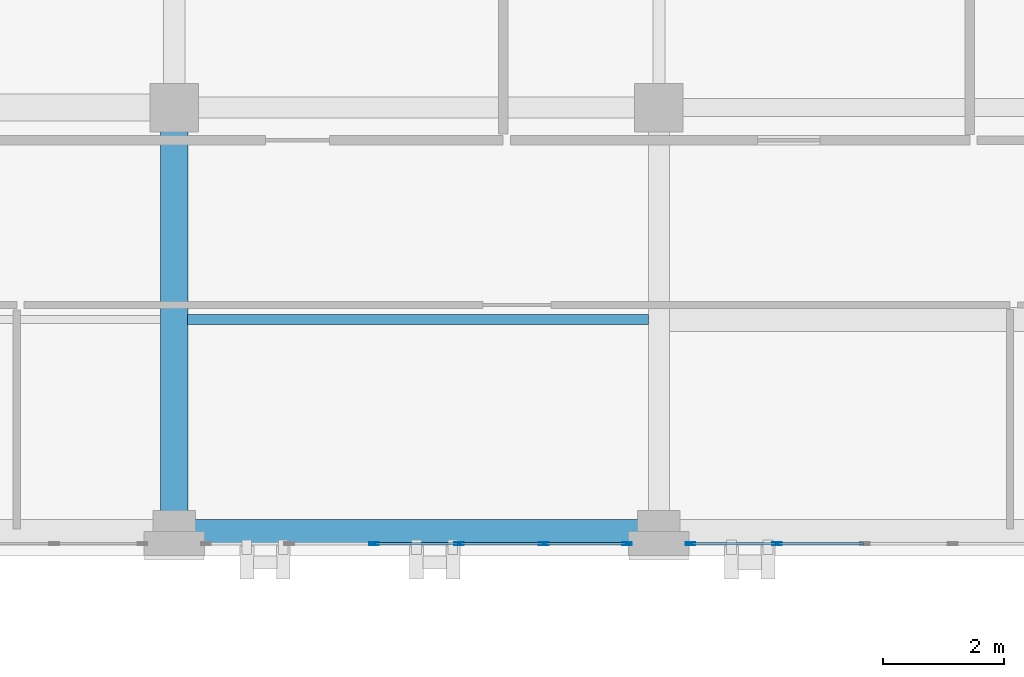
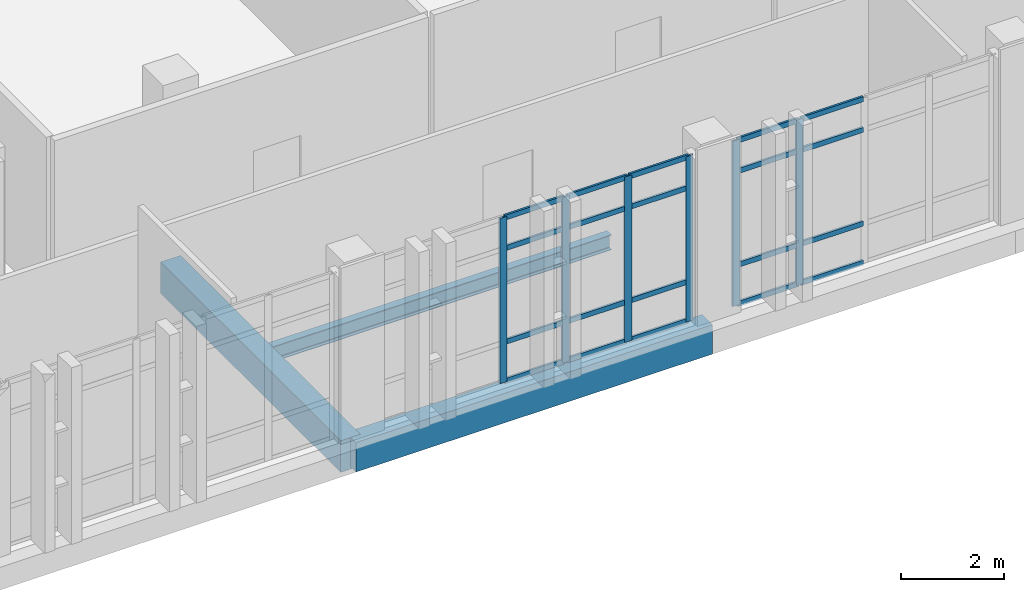
# One storey, part 81 of 158: 26 members, 3 beams, 2 elements without a shape of their own.
"""IFC4 building model written with IfcOpenShell, lengths in metres."""

from ifc_helpers import new_model, si_unit, direction, frame, origin, origin_2d, place, context, subcontext, project, spatial, rectangle, hollow_rectangle, i_section, extrude, material, layer, layer_set, material_profile, profile_set, type_object, element, aggregate, save


model = new_model("IFC4")

# Units and contexts
model_context = context("Model", 3, precision=1e-05, world=origin(), true_north=direction((0.0, 1.0)))
body_context = subcontext(model_context, "Body", "Model", "MODEL_VIEW")
ifc_project = project(units=[si_unit("LENGTHUNIT", "METRE"), si_unit("AREAUNIT", "SQUARE_METRE"), si_unit("VOLUMEUNIT", "CUBIC_METRE"), si_unit("PLANEANGLEUNIT", "RADIAN"), si_unit("MASSUNIT", "GRAM", prefix="KILO")], contexts=[model_context])

# Site, building, storey
site_placement = place(None, origin())
site = spatial("IfcSite", under=ifc_project, at=site_placement, CompositionType="ELEMENT")
building_placement = place(site_placement, origin())
building = spatial("IfcBuilding", under=site, at=building_placement, Name="Qalavern Law Courts", CompositionType="ELEMENT")
storey_placement = place(building_placement, frame((0.0, 0.0, 18.60009765625)))
storey = spatial("IfcBuildingStorey", under=building, at=storey_placement, Name="L04", CompositionType="ELEMENT", Elevation=18.60009765625)

# Curtain wall, members
ifc_material_1 = material(Name="Anodised aluminium and insulated glazing", Category="aluminium")
ifc_layer = layer(ifc_material_1, 0.166015625)
ifc_layer_set = layer_set([ifc_layer], Name="Anodised aluminium and insulated glazing")
curtain_wall_type = type_object("IfcCurtainWallType", Name="ENV-CW-LIB", PredefinedType="USERDEFINED", material=ifc_layer_set)
curtain_wall_1_placement = place(storey_placement, origin())
curtain_wall_1 = element("IfcCurtainWall", 1, at=curtain_wall_1_placement, inside=storey, type_object=curtain_wall_type, Name="V5 unitised curtain wall L04 south 3", ObjectType="UNITISED CURTAIN WALL", PredefinedType="USERDEFINED")
ifc_material_2 = material(Name="Anodised aluminium", Category="aluminium")
ifc_material_profile_1 = material_profile(ifc_material_2, hollow_rectangle(XDim=0.048095703125, YDim=0.159912109375, WallThickness=0.00390625, at=origin_2d()), Name="ALU MULLION 48x160")
ifc_profile_set_1 = profile_set([ifc_material_profile_1], Name="Anodised aluminium")
member_type_1 = type_object("IfcMemberType", Name="ENV-CWM-48x160", PredefinedType="MULLION", material=ifc_profile_set_1)
member_1_placement = place(storey_placement, frame((40.10009765625, 96.39990234375, 0.0), z_axis=(0.0, 0.0, 1.0), x_axis=(0.0, 1.0, 0.0)))
member_1 = element("IfcMember", 2, at=member_1_placement, type_object=member_type_1, Name="CW-05 mullion 3", PredefinedType="MULLION", context=body_context, shape_type="SweptSolid", body=[
    extrude(hollow_rectangle(XDim=0.048095703125, YDim=0.159912109375, WallThickness=0.00390625, at=origin_2d()), origin(), (0.0, 0.0, 1.0), 3.9248046875),
])
member_2_placement = place(storey_placement, frame((41.5, 96.39990234375, 0.0), z_axis=(0.0, 0.0, 1.0), x_axis=(0.0, 1.0, 0.0)))
member_2 = element("IfcMember", 3, at=member_2_placement, type_object=member_type_1, Name="CW-05 mullion 4", PredefinedType="MULLION", context=body_context, shape_type="SweptSolid", body=[
    extrude(hollow_rectangle(XDim=0.048095703125, YDim=0.159912109375, WallThickness=0.00390625, at=origin_2d()), origin(), (0.0, 0.0, 1.0), 3.9248046875),
])
member_3_placement = place(storey_placement, frame((42.89990234375, 96.39990234375, 0.0), z_axis=(0.0, 0.0, 1.0), x_axis=(0.0, 1.0, 0.0)))
member_3 = element("IfcMember", 4, at=member_3_placement, type_object=member_type_1, Name="CW-05 mullion 5", PredefinedType="MULLION", context=body_context, shape_type="SweptSolid", body=[
    extrude(hollow_rectangle(XDim=0.048095703125, YDim=0.159912109375, WallThickness=0.00390625, at=origin_2d()), origin(), (0.0, 0.0, 1.0), 3.9248046875),
])
member_4_placement = place(storey_placement, frame((44.27587890625, 96.39990234375, 0.0), z_axis=(0.0, 0.0, 1.0), x_axis=(0.0, 1.0, 0.0)))
member_4 = element("IfcMember", 5, at=member_4_placement, type_object=member_type_1, Name="CW-05 mullion 6", PredefinedType="MULLION", context=body_context, shape_type="SweptSolid", body=[
    extrude(hollow_rectangle(XDim=0.048095703125, YDim=0.159912109375, WallThickness=0.00390625, at=origin_2d()), origin(), (0.0, 0.0, 1.0), 3.9248046875),
])

curtain_wall_2_placement = place(storey_placement, origin())
curtain_wall_2 = element("IfcCurtainWall", 6, at=curtain_wall_2_placement, inside=storey, type_object=curtain_wall_type, Name="V5 unitised curtain wall L04 south 4", ObjectType="UNITISED CURTAIN WALL", PredefinedType="USERDEFINED")
member_5_placement = place(storey_placement, frame((45.323974609375, 96.39990234375, 0.0), z_axis=(0.0, 0.0, 1.0), x_axis=(0.0, 1.0, 0.0)))
member_5 = element("IfcMember", 7, at=member_5_placement, type_object=member_type_1, Name="CW-05 mullion 1", PredefinedType="MULLION", context=body_context, shape_type="SweptSolid", body=[
    extrude(hollow_rectangle(XDim=0.048095703125, YDim=0.159912109375, WallThickness=0.00390625, at=origin_2d()), origin(), (0.0, 0.0, 1.0), 3.9248046875),
])
member_6_placement = place(storey_placement, frame((46.75, 96.39990234375, 0.0), z_axis=(0.0, 0.0, 1.0), x_axis=(0.0, 1.0, 0.0)))
member_6 = element("IfcMember", 8, at=member_6_placement, type_object=member_type_1, Name="CW-05 mullion 2", PredefinedType="MULLION", context=body_context, shape_type="SweptSolid", body=[
    extrude(hollow_rectangle(XDim=0.048095703125, YDim=0.159912109375, WallThickness=0.00390625, at=origin_2d()), origin(), (0.0, 0.0, 1.0), 3.9248046875),
])

# Member
ifc_material_profile_2 = material_profile(ifc_material_2, hollow_rectangle(XDim=0.048095703125, YDim=0.1201171875, WallThickness=0.00390625, at=origin_2d()), Name="ALU TRANSOM 48x120")
ifc_profile_set_2 = profile_set([ifc_material_profile_2], Name="Anodised aluminium")
member_type_2 = type_object("IfcMemberType", Name="ENV-CWT-48x120", PredefinedType="USERDEFINED", material=ifc_profile_set_2)
member_7_placement = place(storey_placement, frame((40.1240234375, 96.39990234375, 0.02392578125), z_axis=(1.0, 0.0, 0.0), x_axis=(0.0, 1.0, 0.0)))
member_7 = element("IfcMember", 9, at=member_7_placement, type_object=member_type_2, Name="CW-05 transom 3.1", ObjectType="TRANSOM", PredefinedType="USERDEFINED", context=body_context, shape_type="SweptSolid", body=[
    extrude(hollow_rectangle(XDim=0.048095703125, YDim=0.1201171875, WallThickness=0.00390625, at=origin_2d()), origin(), (0.0, 0.0, 1.0), 1.35205078125),
])

member_8_placement = place(storey_placement, frame((40.1240234375, 96.39990234375, 0.949951171875), z_axis=(1.0, 0.0, 0.0), x_axis=(0.0, 1.0, 0.0)))
member_8 = element("IfcMember", 10, at=member_8_placement, type_object=member_type_2, Name="CW-05 transom 3.2", ObjectType="TRANSOM", PredefinedType="USERDEFINED", context=body_context, shape_type="SweptSolid", body=[
    extrude(hollow_rectangle(XDim=0.048095703125, YDim=0.1201171875, WallThickness=0.00390625, at=origin_2d()), origin(), (0.0, 0.0, 1.0), 1.35205078125),
])

member_9_placement = place(storey_placement, frame((40.1240234375, 96.39990234375, 3.1748046875), z_axis=(1.0, 0.0, 0.0), x_axis=(0.0, 1.0, 0.0)))
member_9 = element("IfcMember", 11, at=member_9_placement, type_object=member_type_2, Name="CW-05 transom 3.3", ObjectType="TRANSOM", PredefinedType="USERDEFINED", context=body_context, shape_type="SweptSolid", body=[
    extrude(hollow_rectangle(XDim=0.048095703125, YDim=0.1201171875, WallThickness=0.00390625, at=origin_2d()), origin(), (0.0, 0.0, 1.0), 1.35205078125),
])

member_10_placement = place(storey_placement, frame((40.1240234375, 96.39990234375, 3.90087890625), z_axis=(1.0, 0.0, 0.0), x_axis=(0.0, 1.0, 0.0)))
member_10 = element("IfcMember", 12, at=member_10_placement, type_object=member_type_2, Name="CW-05 transom 3.4", ObjectType="TRANSOM", PredefinedType="USERDEFINED", context=body_context, shape_type="SweptSolid", body=[
    extrude(hollow_rectangle(XDim=0.048095703125, YDim=0.1201171875, WallThickness=0.00390625, at=origin_2d()), origin(), (0.0, 0.0, 1.0), 1.35205078125),
])

member_11_placement = place(storey_placement, frame((41.52392578125, 96.39990234375, 0.02392578125), z_axis=(1.0, 0.0, 0.0), x_axis=(0.0, 1.0, 0.0)))
member_11 = element("IfcMember", 13, at=member_11_placement, type_object=member_type_2, Name="CW-05 transom 4.1", ObjectType="TRANSOM", PredefinedType="USERDEFINED", context=body_context, shape_type="SweptSolid", body=[
    extrude(hollow_rectangle(XDim=0.048095703125, YDim=0.1201171875, WallThickness=0.00390625, at=origin_2d()), origin(), (0.0, 0.0, 1.0), 1.35205078125),
])

member_12_placement = place(storey_placement, frame((41.52392578125, 96.39990234375, 0.949951171875), z_axis=(1.0, 0.0, 0.0), x_axis=(0.0, 1.0, 0.0)))
member_12 = element("IfcMember", 14, at=member_12_placement, type_object=member_type_2, Name="CW-05 transom 4.2", ObjectType="TRANSOM", PredefinedType="USERDEFINED", context=body_context, shape_type="SweptSolid", body=[
    extrude(hollow_rectangle(XDim=0.048095703125, YDim=0.1201171875, WallThickness=0.00390625, at=origin_2d()), origin(), (0.0, 0.0, 1.0), 1.35205078125),
])

member_13_placement = place(storey_placement, frame((41.52392578125, 96.39990234375, 3.1748046875), z_axis=(1.0, 0.0, 0.0), x_axis=(0.0, 1.0, 0.0)))
member_13 = element("IfcMember", 15, at=member_13_placement, type_object=member_type_2, Name="CW-05 transom 4.3", ObjectType="TRANSOM", PredefinedType="USERDEFINED", context=body_context, shape_type="SweptSolid", body=[
    extrude(hollow_rectangle(XDim=0.048095703125, YDim=0.1201171875, WallThickness=0.00390625, at=origin_2d()), origin(), (0.0, 0.0, 1.0), 1.35205078125),
])

member_14_placement = place(storey_placement, frame((41.52392578125, 96.39990234375, 3.90087890625), z_axis=(1.0, 0.0, 0.0), x_axis=(0.0, 1.0, 0.0)))
member_14 = element("IfcMember", 16, at=member_14_placement, type_object=member_type_2, Name="CW-05 transom 4.4", ObjectType="TRANSOM", PredefinedType="USERDEFINED", context=body_context, shape_type="SweptSolid", body=[
    extrude(hollow_rectangle(XDim=0.048095703125, YDim=0.1201171875, WallThickness=0.00390625, at=origin_2d()), origin(), (0.0, 0.0, 1.0), 1.35205078125),
])

member_15_placement = place(storey_placement, frame((42.924072265625, 96.39990234375, 0.02392578125), z_axis=(1.0, 0.0, 0.0), x_axis=(0.0, 1.0, 0.0)))
member_15 = element("IfcMember", 17, at=member_15_placement, type_object=member_type_2, Name="CW-05 transom 5.1", ObjectType="TRANSOM", PredefinedType="USERDEFINED", context=body_context, shape_type="SweptSolid", body=[
    extrude(hollow_rectangle(XDim=0.048095703125, YDim=0.1201171875, WallThickness=0.00390625, at=origin_2d()), origin(), (0.0, 0.0, 1.0), 1.327880859375),
])

member_16_placement = place(storey_placement, frame((42.924072265625, 96.39990234375, 0.949951171875), z_axis=(1.0, 0.0, 0.0), x_axis=(0.0, 1.0, 0.0)))
member_16 = element("IfcMember", 18, at=member_16_placement, type_object=member_type_2, Name="CW-05 transom 5.2", ObjectType="TRANSOM", PredefinedType="USERDEFINED", context=body_context, shape_type="SweptSolid", body=[
    extrude(hollow_rectangle(XDim=0.048095703125, YDim=0.1201171875, WallThickness=0.00390625, at=origin_2d()), origin(), (0.0, 0.0, 1.0), 1.327880859375),
])

member_17_placement = place(storey_placement, frame((42.924072265625, 96.39990234375, 3.1748046875), z_axis=(1.0, 0.0, 0.0), x_axis=(0.0, 1.0, 0.0)))
member_17 = element("IfcMember", 19, at=member_17_placement, type_object=member_type_2, Name="CW-05 transom 5.3", ObjectType="TRANSOM", PredefinedType="USERDEFINED", context=body_context, shape_type="SweptSolid", body=[
    extrude(hollow_rectangle(XDim=0.048095703125, YDim=0.1201171875, WallThickness=0.00390625, at=origin_2d()), origin(), (0.0, 0.0, 1.0), 1.327880859375),
])

member_18_placement = place(storey_placement, frame((42.924072265625, 96.39990234375, 3.90087890625), z_axis=(1.0, 0.0, 0.0), x_axis=(0.0, 1.0, 0.0)))
member_18 = element("IfcMember", 20, at=member_18_placement, type_object=member_type_2, Name="CW-05 transom 5.4", ObjectType="TRANSOM", PredefinedType="USERDEFINED", context=body_context, shape_type="SweptSolid", body=[
    extrude(hollow_rectangle(XDim=0.048095703125, YDim=0.1201171875, WallThickness=0.00390625, at=origin_2d()), origin(), (0.0, 0.0, 1.0), 1.327880859375),
])

aggregate(curtain_wall_1, [member_1, member_2, member_3, member_4, member_7, member_8, member_9, member_10, member_11, member_12, member_13, member_14, member_15, member_16, member_17, member_18])

member_19_placement = place(storey_placement, frame((45.347900390625, 96.39990234375, 0.02392578125), z_axis=(1.0, 0.0, 0.0), x_axis=(0.0, 1.0, 0.0)))
member_19 = element("IfcMember", 21, at=member_19_placement, type_object=member_type_2, Name="CW-05 transom 1.1", ObjectType="TRANSOM", PredefinedType="USERDEFINED", context=body_context, shape_type="SweptSolid", body=[
    extrude(hollow_rectangle(XDim=0.048095703125, YDim=0.1201171875, WallThickness=0.00390625, at=origin_2d()), origin(), (0.0, 0.0, 1.0), 1.378173828125),
])

member_20_placement = place(storey_placement, frame((45.347900390625, 96.39990234375, 0.949951171875), z_axis=(1.0, 0.0, 0.0), x_axis=(0.0, 1.0, 0.0)))
member_20 = element("IfcMember", 22, at=member_20_placement, type_object=member_type_2, Name="CW-05 transom 1.2", ObjectType="TRANSOM", PredefinedType="USERDEFINED", context=body_context, shape_type="SweptSolid", body=[
    extrude(hollow_rectangle(XDim=0.048095703125, YDim=0.1201171875, WallThickness=0.00390625, at=origin_2d()), origin(), (0.0, 0.0, 1.0), 1.378173828125),
])

member_21_placement = place(storey_placement, frame((45.347900390625, 96.39990234375, 3.1748046875), z_axis=(1.0, 0.0, 0.0), x_axis=(0.0, 1.0, 0.0)))
member_21 = element("IfcMember", 23, at=member_21_placement, type_object=member_type_2, Name="CW-05 transom 1.3", ObjectType="TRANSOM", PredefinedType="USERDEFINED", context=body_context, shape_type="SweptSolid", body=[
    extrude(hollow_rectangle(XDim=0.048095703125, YDim=0.1201171875, WallThickness=0.00390625, at=origin_2d()), origin(), (0.0, 0.0, 1.0), 1.378173828125),
])

member_22_placement = place(storey_placement, frame((45.347900390625, 96.39990234375, 3.90087890625), z_axis=(1.0, 0.0, 0.0), x_axis=(0.0, 1.0, 0.0)))
member_22 = element("IfcMember", 24, at=member_22_placement, type_object=member_type_2, Name="CW-05 transom 1.4", ObjectType="TRANSOM", PredefinedType="USERDEFINED", context=body_context, shape_type="SweptSolid", body=[
    extrude(hollow_rectangle(XDim=0.048095703125, YDim=0.1201171875, WallThickness=0.00390625, at=origin_2d()), origin(), (0.0, 0.0, 1.0), 1.378173828125),
])

member_23_placement = place(storey_placement, frame((46.77392578125, 96.39990234375, 0.02392578125), z_axis=(1.0, 0.0, 0.0), x_axis=(0.0, 1.0, 0.0)))
member_23 = element("IfcMember", 25, at=member_23_placement, type_object=member_type_2, Name="CW-05 transom 2.1", ObjectType="TRANSOM", PredefinedType="USERDEFINED", context=body_context, shape_type="SweptSolid", body=[
    extrude(hollow_rectangle(XDim=0.048095703125, YDim=0.1201171875, WallThickness=0.00390625, at=origin_2d()), origin(), (0.0, 0.0, 1.0), 1.402099609375),
])

member_24_placement = place(storey_placement, frame((46.77392578125, 96.39990234375, 0.949951171875), z_axis=(1.0, 0.0, 0.0), x_axis=(0.0, 1.0, 0.0)))
member_24 = element("IfcMember", 26, at=member_24_placement, type_object=member_type_2, Name="CW-05 transom 2.2", ObjectType="TRANSOM", PredefinedType="USERDEFINED", context=body_context, shape_type="SweptSolid", body=[
    extrude(hollow_rectangle(XDim=0.048095703125, YDim=0.1201171875, WallThickness=0.00390625, at=origin_2d()), origin(), (0.0, 0.0, 1.0), 1.402099609375),
])

member_25_placement = place(storey_placement, frame((46.77392578125, 96.39990234375, 3.1748046875), z_axis=(1.0, 0.0, 0.0), x_axis=(0.0, 1.0, 0.0)))
member_25 = element("IfcMember", 27, at=member_25_placement, type_object=member_type_2, Name="CW-05 transom 2.3", ObjectType="TRANSOM", PredefinedType="USERDEFINED", context=body_context, shape_type="SweptSolid", body=[
    extrude(hollow_rectangle(XDim=0.048095703125, YDim=0.1201171875, WallThickness=0.00390625, at=origin_2d()), origin(), (0.0, 0.0, 1.0), 1.402099609375),
])

member_26_placement = place(storey_placement, frame((46.77392578125, 96.39990234375, 3.90087890625), z_axis=(1.0, 0.0, 0.0), x_axis=(0.0, 1.0, 0.0)))
member_26 = element("IfcMember", 28, at=member_26_placement, type_object=member_type_2, Name="CW-05 transom 2.4", ObjectType="TRANSOM", PredefinedType="USERDEFINED", context=body_context, shape_type="SweptSolid", body=[
    extrude(hollow_rectangle(XDim=0.048095703125, YDim=0.1201171875, WallThickness=0.00390625, at=origin_2d()), origin(), (0.0, 0.0, 1.0), 1.402099609375),
])

aggregate(curtain_wall_2, [member_5, member_6, member_19, member_20, member_21, member_22, member_23, member_24, member_25, member_26])

# Beams
ifc_material_3 = material(Name="Concrete C40/50", Category="concrete")
ifc_material_profile_3 = material_profile(ifc_material_3, rectangle(XDim=0.449951171875, YDim=0.75, at=origin_2d()), Name="RC 450x750")
ifc_profile_set_3 = profile_set([ifc_material_profile_3], Name="Concrete C40/50")
beam_type_1 = type_object("IfcBeamType", Name="STR-BM-RC450x750", PredefinedType="BEAM", material=ifc_profile_set_3)
beam_1_placement = place(storey_placement, frame((36.800048828125, 96.60009765625, -0.655029296875), z_axis=(0.0, 1.0, 0.0), x_axis=(-1.0, 0.0, 0.0)))
element("IfcBeam", 29, at=beam_1_placement, inside=storey, type_object=beam_type_1, Name="V5 Y-beam 5-1 L04", PredefinedType="BEAM", context=body_context, shape_type="SweptSolid", body=[
    extrude(rectangle(XDim=0.449951171875, YDim=0.75, at=origin_2d()), origin(), (0.0, 0.0, 1.0), 7.0),
])
ifc_material_4 = material(Name="Steel S355", Category="steel")
ifc_material_profile_4 = material_profile(ifc_material_4, i_section(OverallWidth=0.169921875, OverallDepth=0.360107421875, WebThickness=0.008056640625, FlangeThickness=0.0126953125, FilletRadius=0.01806640625, at=origin_2d()), Name="IPE 360")
ifc_profile_set_4 = profile_set([ifc_material_profile_4], Name="Steel S355")
beam_type_2 = type_object("IfcBeamType", Name="STR-JST-IPE360", PredefinedType="JOIST", material=ifc_profile_set_4)
beam_2_placement = place(storey_placement, frame((37.02294921875, 100.10009765625, -0.460205078125), z_axis=(1.0, 0.0, 0.0), x_axis=(0.0, 1.0, 0.0)))
element("IfcBeam", 30, at=beam_2_placement, inside=storey, type_object=beam_type_2, Name="V5 secondary joist 5.1.1 L04", PredefinedType="JOIST", context=body_context, shape_type="SweptSolid", body=[
    extrude(i_section(OverallWidth=0.169921875, OverallDepth=0.360107421875, WebThickness=0.008056640625, FlangeThickness=0.0126953125, FilletRadius=0.01806640625, at=origin_2d()), origin(), (0.0, 0.0, 1.0), 7.60400390625),
])
ifc_material_profile_5 = material_profile(ifc_material_3, rectangle(XDim=0.39990234375, YDim=0.699951171875, at=origin_2d()), Name="RC 400x700")
ifc_profile_set_5 = profile_set([ifc_material_profile_5], Name="Concrete C40/50")
beam_type_3 = type_object("IfcBeamType", Name="STR-SP-RC400x700", PredefinedType="SPANDREL", material=ifc_profile_set_5)
beam_3_placement = place(storey_placement, frame((36.800048828125, 96.60009765625, -0.630126953125), z_axis=(1.0, 0.0, 0.0), x_axis=(0.0, 1.0, 0.0)))
element("IfcBeam", 31, at=beam_3_placement, inside=storey, type_object=beam_type_3, Name="V5 X-beam 1-5 L04", PredefinedType="SPANDREL", context=body_context, shape_type="SweptSolid", body=[
    extrude(rectangle(XDim=0.39990234375, YDim=0.699951171875, at=origin_2d()), origin(), (0.0, 0.0, 1.0), 8.0),
])

save(model, "model.ifc")
